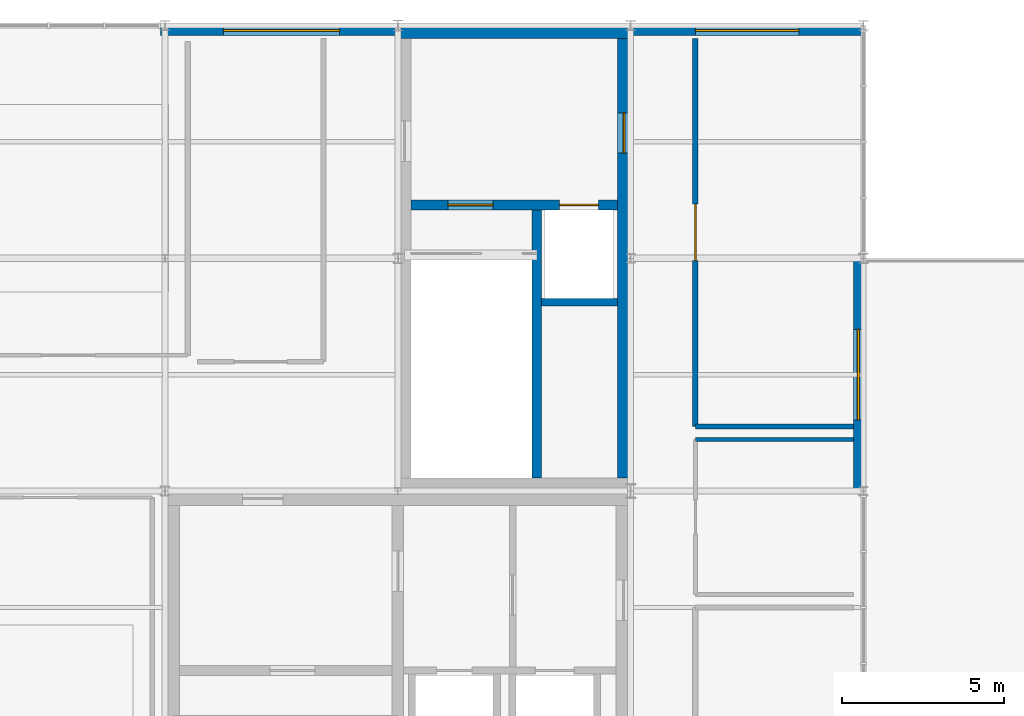
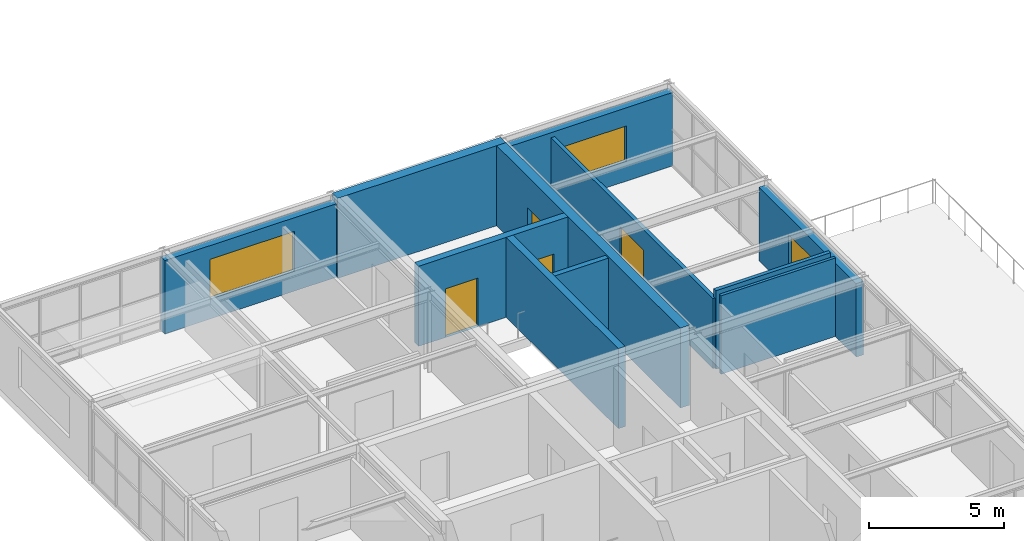
# One storey, part 9 of 12: 11 walls, 4 doors, 3 windows, 7 openings.
"""IFC4 building model written with IfcOpenShell, lengths in metres."""

import ifcopenshell
import ifcopenshell.guid

model = None  # the IFC model being written
_history = None  # IfcOwnerHistory: only IFC2X3 demands one
_inside = {}  # id of a spatial element -> (the spatial element, [elements in it])
_under = {}  # id of a project, library or spatial element -> (it, [spatial elements below it])
_declared = {}  # id of a project -> (the project, [libraries it declares])
_typed = {}  # id of a type object -> (the type object, [elements of that type])
_made_of = {}  # id of a material, layer set ... -> (it, [elements and type objects made of it])


def new_model(schema):
    """Start an empty IFC model of exactly this schema.

    Asked for "IFC4X3", IfcOpenShell would pick the latest addendum, in which some entities
    have other attributes; the version numbers below select the first issue.
    IFC2X3 requires an IfcOwnerHistory on every rooted entity: one is made here for all.
    """
    global model, _history
    if schema == "IFC4X3":
        model = ifcopenshell.file(schema_version=(4, 3, 0, 0))
    else:
        model = ifcopenshell.file(schema=schema)
    _inside.clear()
    _under.clear()
    _declared.clear()
    _typed.clear()
    _made_of.clear()
    _history = None
    if model.schema == "IFC2X3":
        org = make("IfcOrganization", Name="unknown")
        user = make(
            "IfcPersonAndOrganization",
            ThePerson=make("IfcPerson", FamilyName="unknown"),
            TheOrganization=org,
        )
        app = make(
            "IfcApplication",
            ApplicationDeveloper=org,
            Version="unknown",
            ApplicationFullName="unknown",
            ApplicationIdentifier="unknown",
        )
        _history = make(
            "IfcOwnerHistory",
            OwningUser=user,
            OwningApplication=app,
            ChangeAction="ADDED",
            CreationDate=0,
        )
    return model


def make(cls, **values):
    """One entity of the class cls with the attributes given. An attribute that is None is left unset."""
    return model.create_entity(
        cls, **{name: value for name, value in values.items() if value is not None}
    )


def rooted(cls, **values):
    """An entity with a GlobalId (a new one), such as an element, a storey or a relation."""
    return make(cls, GlobalId=ifcopenshell.guid.new(), OwnerHistory=_history, **values)


def si_unit(unit_type, name, prefix=None):
    """IfcSIUnit, for example si_unit("LENGTHUNIT", "METRE", prefix="MILLI")."""
    return make("IfcSIUnit", UnitType=unit_type, Prefix=prefix, Name=name)


def assignment(units):
    """IfcUnitAssignment: the units of a project."""
    return None if units is None else make("IfcUnitAssignment", Units=units)


def point(xyz):
    """IfcCartesianPoint."""
    return None if xyz is None else make("IfcCartesianPoint", Coordinates=xyz)


def direction(xyz):
    """IfcDirection."""
    return None if xyz is None else make("IfcDirection", DirectionRatios=xyz)


def frame(location, z_axis=None, x_axis=None):
    """IfcAxis2Placement3D, a coordinate frame: its origin and axes. An axis left out is left unset."""
    return make(
        "IfcAxis2Placement3D",
        Location=point(location),
        Axis=direction(z_axis),
        RefDirection=direction(x_axis),
    )


def frame_2d(location, x_axis=None):
    """IfcAxis2Placement2D, a coordinate frame in the plane: its origin and x axis."""
    return make(
        "IfcAxis2Placement2D", Location=point(location), RefDirection=direction(x_axis)
    )


def origin():
    """The frame at (0, 0, 0) with its axes left unset."""
    return frame((0.0, 0.0, 0.0))


def place(relative_to, where):
    """IfcLocalPlacement: puts the frame where relative to a parent placement (None: the world)."""
    return make(
        "IfcLocalPlacement", PlacementRelTo=relative_to, RelativePlacement=where
    )


def context(
    kind, dimensions, precision=None, world=None, true_north=None, identifier=None
):
    """IfcGeometricRepresentationContext, for example the 3D "Model" context."""
    return make(
        "IfcGeometricRepresentationContext",
        ContextIdentifier=identifier,
        ContextType=kind,
        CoordinateSpaceDimension=dimensions,
        Precision=precision,
        WorldCoordinateSystem=world,
        TrueNorth=true_north,
    )


def subcontext(parent, identifier, kind, view, scale=None):
    """IfcGeometricRepresentationSubContext, for example "Body" below "Model"."""
    return make(
        "IfcGeometricRepresentationSubContext",
        ContextIdentifier=identifier,
        ContextType=kind,
        ParentContext=parent,
        TargetScale=scale,
        TargetView=view,
    )


def project(units=None, contexts=None):
    """IfcProject with its units and contexts."""
    return rooted(
        "IfcProject",
        Name="project",
        RepresentationContexts=contexts,
        UnitsInContext=assignment(units),
    )


def spatial(cls, under=None, at=None, **own):
    """A site, building, storey or space (cls), placed at a placement, below another one or the project."""
    s = rooted(cls, ObjectPlacement=at, **own)
    if under is not None:
        _under.setdefault(under.id(), (under, []))[1].append(s)
    return s


def profile(cls, at=None, kind="AREA", **sizes):
    """A parametric profile (cls). Its sizes go by their IFC names, for example OverallWidth=200.0."""
    return make(cls, ProfileType=kind, Position=at, **sizes)


def rectangle(**sizes):
    """IfcRectangleProfileDef."""
    return profile("IfcRectangleProfileDef", **sizes)


def extrude(swept, where, along, depth):
    """IfcExtrudedAreaSolid: the profile swept, set in the frame where, extruded along a direction by depth."""
    return make(
        "IfcExtrudedAreaSolid",
        SweptArea=swept,
        Position=where,
        ExtrudedDirection=direction(along),
        Depth=depth,
    )


def shape(context_of_items, identifier, shape_type, items):
    """IfcShapeRepresentation: the items that make up one representation, for example the "Body"."""
    return make(
        "IfcShapeRepresentation",
        ContextOfItems=context_of_items,
        RepresentationIdentifier=identifier,
        RepresentationType=shape_type,
        Items=items,
    )


def material(Name=None, Category=None):
    """IfcMaterial."""
    return make("IfcMaterial", Name=Name, Category=Category)


def layer(
    of_material, thickness, ventilated=None, Name=None, Category=None, Priority=None
):
    """IfcMaterialLayer: one layer of a wall or slab, of a material (None: an air gap)."""
    return make(
        "IfcMaterialLayer",
        Material=of_material,
        LayerThickness=thickness,
        IsVentilated=ventilated,
        Name=Name,
        Category=Category,
        Priority=Priority,
    )


def layer_set(layers, Name=None):
    """IfcMaterialLayerSet."""
    return make("IfcMaterialLayerSet", MaterialLayers=layers, LayerSetName=Name)


def made_of(thing, what):
    """Note that an element or type object is made of a material, layer set ...; save() writes the relation."""
    if what is not None:
        _made_of.setdefault(what.id(), (what, []))[1].append(thing)
    return thing


def type_object(cls, material=None, **own):
    """A type object (cls), such as IfcWallType, which elements share."""
    return made_of(rooted(cls, **own), material)


def element(
    cls,
    number,
    at=None,
    inside=None,
    cuts=None,
    type_object=None,
    material=None,
    context=None,
    identifier="Body",
    shape_type=None,
    held_by="IfcProductDefinitionShape",
    body=None,
    shapes=None,
    **own,
):
    """One element of the class cls, such as IfcWall. Its Tag is "e" and its number.

    at: its placement. inside: the storey or other place that contains it. cuts: it is an
    opening in that element (IfcRelVoidsElement). A single representation is given by context,
    identifier, shape_type and body (its items); several are given by shapes. held_by: the class
    of the entity that holds the representations. save() writes the other relations.
    """
    e = rooted(cls, Tag="e%d" % number, ObjectPlacement=at, **own)
    if body is not None:
        shapes = [shape(context, identifier, shape_type, body)]
    if shapes is not None:
        e.Representation = make(held_by, Representations=shapes)
    if inside is not None:
        _inside.setdefault(inside.id(), (inside, []))[1].append(e)
    if cuts is not None:
        rooted(
            "IfcRelVoidsElement", RelatingBuildingElement=cuts, RelatedOpeningElement=e
        )
    if type_object is not None:
        _typed.setdefault(type_object.id(), (type_object, []))[1].append(e)
    return made_of(e, material)


def fill(opening, filler):
    """IfcRelFillsElement: the door or window that sits in an opening."""
    return rooted(
        "IfcRelFillsElement",
        RelatingOpeningElement=opening,
        RelatedBuildingElement=filler,
    )


def aggregate(whole, parts):
    """IfcRelAggregates: a whole, such as a stair, and the parts it consists of."""
    return rooted("IfcRelAggregates", RelatingObject=whole, RelatedObjects=parts)


def save(model, path):
    """Write the relations noted so far, then the file.

    IfcRelAggregates (storeys below a building ...), IfcRelContainedInSpatialStructure (elements
    in a storey), IfcRelDefinesByType, IfcRelAssociatesMaterial and IfcRelDeclares: one each for
    every whole, place, type object, material and project.
    """
    for whole, parts in _under.values():
        aggregate(whole, parts)
    for where, things in _inside.values():
        rooted(
            "IfcRelContainedInSpatialStructure",
            RelatedElements=things,
            RelatingStructure=where,
        )
    for kind, things in _typed.values():
        rooted("IfcRelDefinesByType", RelatedObjects=things, RelatingType=kind)
    for what, things in _made_of.values():
        rooted("IfcRelAssociatesMaterial", RelatedObjects=things, RelatingMaterial=what)
    for by, libraries in _declared.values():
        rooted("IfcRelDeclares", RelatingContext=by, RelatedDefinitions=libraries)
    model.write(path)


model = new_model("IFC4")

# Units and contexts
model_context = context("Model", 3, precision=1e-05, world=origin(), true_north=direction((0.0, 1.0)))
body_context = subcontext(model_context, "Body", "Model", "MODEL_VIEW")
ifc_project = project(units=[si_unit("LENGTHUNIT", "METRE"), si_unit("AREAUNIT", "SQUARE_METRE"), si_unit("VOLUMEUNIT", "CUBIC_METRE"), si_unit("PLANEANGLEUNIT", "RADIAN"), si_unit("MASSUNIT", "GRAM", prefix="KILO")], contexts=[model_context])

# Site, building, storey
site_placement = place(None, origin())
site = spatial("IfcSite", under=ifc_project, at=site_placement, CompositionType="ELEMENT")
building_placement = place(site_placement, origin())
building = spatial("IfcBuilding", under=site, at=building_placement, Name="Leyfeld Transit Interchange", CompositionType="ELEMENT")
storey_placement = place(building_placement, frame((0.0, 0.0, 21.60009765625)))
storey = spatial("IfcBuildingStorey", under=building, at=storey_placement, Name="L05", CompositionType="ELEMENT", Elevation=21.60009765625)

# Wall, opening, window
ifc_material_1 = material(Name="Austrian larch glulam GL28h", Category="wood")
ifc_layer_1 = layer(ifc_material_1, 0.31005859375, Name="Austrian larch glulam GL28h")
ifc_layer_set_1 = layer_set([ifc_layer_1], Name="Austrian larch glulam GL28h")
wall_type_1 = type_object("IfcWallType", Name="WL-EXT-LRC-310", PredefinedType="SOLIDWALL", material=ifc_layer_set_1)
wall_1_placement = place(storey_placement, frame((7.06005859375, 122.2451171875, 0.0), z_axis=(0.0, 0.0, 1.0), x_axis=(1.0, 0.0, 0.0)))
wall_1 = element("IfcWall", 1, at=wall_1_placement, inside=storey, type_object=wall_type_1, Name="External Facade Wall EW-L05-136", PredefinedType="SOLIDWALL", context=body_context, shape_type="SweptSolid", body=[
    extrude(rectangle(XDim=7.33984375, YDim=0.31005859375, at=frame_2d((3.669921875, 0.0))), origin(), (0.0, 0.0, 1.0), 3.31982421875),
])
opening_1_placement = place(wall_1_placement, frame((1.93994140625, 0.0, 0.89990234375)))
opening_1 = element("IfcOpeningElement", 2, at=opening_1_placement, cuts=wall_1, Name="Opening W-01", PredefinedType="OPENING", context=body_context, shape_type="SweptSolid", body=[
    extrude(rectangle(XDim=3.60009765625, YDim=1.800048828125, at=frame_2d((1.800048828125, 0.89990234375))), frame((0.0, 0.1650390625, 0.0), z_axis=(0.0, -1.0, 0.0), x_axis=(1.0, 0.0, 0.0)), (0.0, 0.0, 1.0), 0.330078125),
])
ifc_material_2 = material(Name="Triple low-E insulated glazing", Category="glass")
window_type_1 = type_object("IfcWindowType", Name="WIN-RIB-3600x1800", PartitioningType="SINGLE_PANEL", PredefinedType="WINDOW", material=ifc_material_2)
window_1_placement = place(opening_1_placement, origin())
window_1 = element("IfcWindow", 3, at=window_1_placement, inside=storey, type_object=window_type_1, Name="Facade Window L05 096", OverallHeight=1.800048828125, OverallWidth=3.60009765625, PartitioningType="SINGLE_PANEL", PredefinedType="WINDOW", context=body_context, shape_type="SweptSolid", body=[
    extrude(rectangle(XDim=3.60009765625, YDim=1.800048828125, at=frame_2d((1.800048828125, 0.89990234375))), frame((0.0, 0.030029296875, 0.0), z_axis=(0.0, -1.0, 0.0), x_axis=(1.0, 0.0, 0.0)), (0.0, 0.0, 1.0), 0.06005859375),
])
fill(opening_1, window_1)

wall_2_placement = place(storey_placement, frame((21.60009765625, 122.2451171875, 0.0), z_axis=(0.0, 0.0, 1.0), x_axis=(1.0, 0.0, 0.0)))
wall_2 = element("IfcWall", 4, at=wall_2_placement, inside=storey, type_object=wall_type_1, Name="External Facade Wall EW-L05-137", PredefinedType="SOLIDWALL", context=body_context, shape_type="SweptSolid", body=[
    extrude(rectangle(XDim=7.199951171875, YDim=0.31005859375, at=frame_2d((3.60009765625, 0.0))), origin(), (0.0, 0.0, 1.0), 3.31982421875),
])
opening_2_placement = place(wall_2_placement, frame((2.0, 0.0, 0.89990234375)))
opening_2 = element("IfcOpeningElement", 5, at=opening_2_placement, cuts=wall_2, Name="Opening W-02", PredefinedType="OPENING", context=body_context, shape_type="SweptSolid", body=[
    extrude(rectangle(XDim=3.199951171875, YDim=1.60009765625, at=frame_2d((1.60009765625, 0.800048828125))), frame((0.0, 0.1650390625, 0.0), z_axis=(0.0, -1.0, 0.0), x_axis=(1.0, 0.0, 0.0)), (0.0, 0.0, 1.0), 0.330078125),
])
window_type_2 = type_object("IfcWindowType", Name="WIN-RIB-3200x1600", PartitioningType="SINGLE_PANEL", PredefinedType="WINDOW", material=ifc_material_2)
window_2_placement = place(opening_2_placement, origin())
window_2 = element("IfcWindow", 6, at=window_2_placement, inside=storey, type_object=window_type_2, Name="Facade Window L05 097", OverallHeight=1.60009765625, OverallWidth=3.199951171875, PartitioningType="SINGLE_PANEL", PredefinedType="WINDOW", context=body_context, shape_type="SweptSolid", body=[
    extrude(rectangle(XDim=3.199951171875, YDim=1.60009765625, at=frame_2d((1.60009765625, 0.800048828125))), frame((0.0, 0.030029296875, 0.0), z_axis=(0.0, -1.0, 0.0), x_axis=(1.0, 0.0, 0.0)), (0.0, 0.0, 1.0), 0.06005859375),
])
fill(opening_2, window_2)

wall_3_placement = place(storey_placement, frame((28.64501953125, 115.199951171875, 0.0), z_axis=(0.0, 0.0, 1.0), x_axis=(0.0, -1.0, 0.0)))
wall_3 = element("IfcWall", 7, at=wall_3_placement, inside=storey, type_object=wall_type_1, Name="External Facade Wall EW-L05-138", PredefinedType="SOLIDWALL", context=body_context, shape_type="SweptSolid", body=[
    extrude(rectangle(XDim=7.199951171875, YDim=0.31005859375, at=frame_2d((3.60009765625, 0.0))), origin(), (0.0, 0.0, 1.0), 3.31982421875),
])
opening_3_placement = place(wall_3_placement, frame((2.199951171875, 0.0, 0.89990234375)))
opening_3 = element("IfcOpeningElement", 8, at=opening_3_placement, cuts=wall_3, Name="Opening W-03", PredefinedType="OPENING", context=body_context, shape_type="SweptSolid", body=[
    extrude(rectangle(XDim=2.800048828125, YDim=1.60009765625, at=frame_2d((1.39990234375, 0.800048828125))), frame((0.0, 0.1650390625, 0.0), z_axis=(0.0, -1.0, 0.0), x_axis=(1.0, 0.0, 0.0)), (0.0, 0.0, 1.0), 0.330078125),
])
window_type_3 = type_object("IfcWindowType", Name="WIN-RIB-2800x1600", PartitioningType="SINGLE_PANEL", PredefinedType="WINDOW", material=ifc_material_2)
window_3_placement = place(opening_3_placement, origin())
window_3 = element("IfcWindow", 9, at=window_3_placement, inside=storey, type_object=window_type_3, Name="Facade Window L05 098", OverallHeight=1.60009765625, OverallWidth=2.800048828125, PartitioningType="SINGLE_PANEL", PredefinedType="WINDOW", context=body_context, shape_type="SweptSolid", body=[
    extrude(rectangle(XDim=2.800048828125, YDim=1.60009765625, at=frame_2d((1.39990234375, 0.800048828125))), frame((0.0, 0.030029296875, 0.0), z_axis=(0.0, -1.0, 0.0), x_axis=(1.0, 0.0, 0.0)), (0.0, 0.0, 1.0), 0.06005859375),
])
fill(opening_3, window_3)

# Wall
ifc_material_3 = material(Name="Gypsum plasterboard acoustic stud", Category="gypsum")
ifc_layer_2 = layer(ifc_material_3, 0.159912109375, Name="Gypsum plasterboard acoustic stud")
ifc_layer_set_2 = layer_set([ifc_layer_2], Name="Gypsum plasterboard acoustic stud")
wall_type_2 = type_object("IfcWallType", Name="WL-INT-ACU-160", PredefinedType="PARTITIONING", material=ifc_layer_set_2)
wall_4_placement = place(storey_placement, frame((28.5, 110.0, 0.0), z_axis=(0.0, 0.0, 1.0), x_axis=(-1.0, 0.0, 0.0)))
element("IfcWall", 10, at=wall_4_placement, inside=storey, type_object=wall_type_2, Name="Interior Partition L05-MTG-02 S", PredefinedType="PARTITIONING", context=body_context, shape_type="SweptSolid", body=[
    extrude(rectangle(XDim=4.89990234375, YDim=0.159912109375, at=frame_2d((2.449951171875, 0.0))), origin(), (0.0, 0.0, 1.0), 3.5498046875),
])

# Wall, opening, door
wall_5_placement = place(storey_placement, frame((23.60009765625, 110.0, 0.0), z_axis=(0.0, 0.0, 1.0), x_axis=(0.0, 1.0, 0.0)))
wall_5 = element("IfcWall", 11, at=wall_5_placement, inside=storey, type_object=wall_type_2, Name="Interior Partition L05-MTG-02 W", PredefinedType="PARTITIONING", context=body_context, shape_type="SweptSolid", body=[
    extrude(rectangle(XDim=12.0, YDim=0.159912109375, at=frame_2d((6.0, 0.0))), origin(), (0.0, 0.0, 1.0), 3.169921875),
])
opening_4_placement = place(wall_5_placement, frame((5.125, 0.0, 0.0)))
opening_4 = element("IfcOpeningElement", 12, at=opening_4_placement, cuts=wall_5, Name="Opening DV-08", PredefinedType="OPENING", context=body_context, shape_type="SweptSolid", body=[
    extrude(rectangle(XDim=1.75, YDim=2.25, at=frame_2d((0.875, 1.125))), frame((0.0, 0.08984375, 0.0), z_axis=(0.0, -1.0, 0.0), x_axis=(1.0, 0.0, 0.0)), (0.0, 0.0, 1.0), 0.179931640625),
])
door_type_1 = type_object("IfcDoorType", Name="DR-VAR-08", OperationType="NOTDEFINED", PredefinedType="DOOR", material=ifc_material_1)
door_1_placement = place(opening_4_placement, origin())
door_1 = element("IfcDoor", 13, at=door_1_placement, inside=storey, type_object=door_type_1, Name="DR-L05-MTG-02", OperationType="DOUBLE_DOOR_SINGLE_SWING", OverallHeight=2.25, OverallWidth=1.75, PredefinedType="DOOR", context=body_context, shape_type="SweptSolid", body=[
    extrude(rectangle(XDim=1.75, YDim=2.25, at=frame_2d((0.875, 1.125))), frame((0.0, 0.02490234375, 0.0), z_axis=(0.0, -1.0, 0.0), x_axis=(1.0, 0.0, 0.0)), (0.0, 0.0, 1.0), 0.050048828125),
])
fill(opening_4, door_1)

# Walls
ifc_material_4 = material(Name="Concrete C35/45", Category="concrete")
ifc_layer_3 = layer(ifc_material_4, 0.219970703125, Name="Concrete C35/45")
ifc_layer_set_3 = layer_set([ifc_layer_3], Name="Concrete C35/45")
wall_type_3 = type_object("IfcWallType", Name="WL-INT-SHF-220", PredefinedType="PARTITIONING", material=ifc_layer_set_3)
wall_6_placement = place(storey_placement, frame((18.840087890625, 113.840087890625, 0.0), z_axis=(0.0, 0.0, 1.0), x_axis=(1.0, 0.0, 0.0)))
element("IfcWall", 14, at=wall_6_placement, inside=storey, type_object=wall_type_3, Name="Core K2 Lift PL-2 Shaft Back Wall L05", PredefinedType="PARTITIONING", context=body_context, shape_type="SweptSolid", body=[
    extrude(rectangle(XDim=2.35986328125, YDim=0.219970703125, at=frame_2d((1.179931640625, 0.0))), origin(), (0.0, 0.0, 1.0), 3.5498046875),
])
ifc_material_5 = material(Name="Autoclaved aerated blockwork G4", Category="masonry")
ifc_layer_4 = layer(ifc_material_5, 0.125, Name="Autoclaved aerated blockwork G4")
ifc_layer_set_4 = layer_set([ifc_layer_4], Name="Autoclaved aerated blockwork G4")
wall_type_4 = type_object("IfcWallType", Name="WL-INT-WC-125", PredefinedType="PARTITIONING", material=ifc_layer_set_4)
wall_7_placement = place(storey_placement, frame((23.60009765625, 109.60009765625, 0.0), z_axis=(0.0, 0.0, 1.0), x_axis=(1.0, 0.0, 0.0)))
element("IfcWall", 15, at=wall_7_placement, inside=storey, type_object=wall_type_4, Name="Interior Partition L05-WCA-01 N", PredefinedType="PARTITIONING", context=body_context, shape_type="SweptSolid", body=[
    extrude(rectangle(XDim=4.89990234375, YDim=0.125, at=frame_2d((2.449951171875, 0.0))), origin(), (0.0, 0.0, 1.0), 3.5498046875),
])
ifc_layer_5 = layer(ifc_material_4, 0.300048828125, Name="Concrete C35/45")
ifc_layer_set_5 = layer_set([ifc_layer_5], Name="Concrete C35/45")
wall_type_5 = type_object("IfcWallType", Name="WL-SH-300", PredefinedType="SHEAR", material=ifc_layer_set_5)
wall_8_placement = place(storey_placement, frame((18.699951171875, 116.699951171875, 0.0), z_axis=(0.0, 0.0, 1.0), x_axis=(0.0, -1.0, 0.0)))
element("IfcWall", 16, at=wall_8_placement, inside=storey, type_object=wall_type_5, Name="Core K2 Shear Wall SMID L05", PredefinedType="SHEAR", context=body_context, shape_type="SweptSolid", body=[
    extrude(rectangle(XDim=8.300048828125, YDim=0.300048828125, at=frame_2d((4.14990234375, 0.0))), origin(), (0.0, 0.0, 1.0), 3.619873046875),
])

# Wall, openings, doors
wall_9_placement = place(storey_placement, frame((14.800048828125, 116.85009765625, 0.0), z_axis=(0.0, 0.0, 1.0), x_axis=(1.0, 0.0, 0.0)))
wall_9 = element("IfcWall", 17, at=wall_9_placement, inside=storey, type_object=wall_type_5, Name="Core K2 Shear Wall STRN L05", PredefinedType="SHEAR", context=body_context, shape_type="SweptSolid", body=[
    extrude(rectangle(XDim=6.39990234375, YDim=0.300048828125, at=frame_2d((3.199951171875, 0.0))), origin(), (0.0, 0.0, 1.0), 3.619873046875),
])
opening_5_placement = place(wall_9_placement, frame((1.14990234375, 0.0, 0.0)))
opening_5 = element("IfcOpeningElement", 18, at=opening_5_placement, cuts=wall_9, Name="Opening DI-01", PredefinedType="OPENING", context=body_context, shape_type="SweptSolid", body=[
    extrude(rectangle(XDim=1.39990234375, YDim=2.199951171875, at=frame_2d((0.699951171875, 1.10009765625))), frame((0.0, 0.159912109375, 0.0), z_axis=(0.0, -1.0, 0.0), x_axis=(1.0, 0.0, 0.0)), (0.0, 0.0, 1.0), 0.320068359375),
])
opening_6_placement = place(wall_9_placement, frame((4.60009765625, 0.0, 0.0)))
opening_6 = element("IfcOpeningElement", 19, at=opening_6_placement, cuts=wall_9, Name="Opening LD-02", PredefinedType="OPENING", context=body_context, shape_type="SweptSolid", body=[
    extrude(rectangle(XDim=1.199951171875, YDim=2.14990234375, at=frame_2d((0.60009765625, 1.074951171875))), frame((0.0, 0.159912109375, 0.0), z_axis=(0.0, -1.0, 0.0), x_axis=(1.0, 0.0, 0.0)), (0.0, 0.0, 1.0), 0.320068359375),
])
ifc_material_6 = material(Name="Stainless steel EN 1.4404", Category="steel")
door_type_2 = type_object("IfcDoorType", Name="DR-LD-PAS-1200x2150", OperationType="NOTDEFINED", PredefinedType="DOOR", material=ifc_material_6)
door_2_placement = place(opening_6_placement, origin())
door_2 = element("IfcDoor", 20, at=door_2_placement, inside=storey, type_object=door_type_2, Name="LD-PL-2-L05", OperationType="DOUBLE_DOOR_SLIDING", OverallHeight=2.14990234375, OverallWidth=1.199951171875, PredefinedType="DOOR", context=body_context, shape_type="SweptSolid", body=[
    extrude(rectangle(XDim=1.199951171875, YDim=2.14990234375, at=frame_2d((0.60009765625, 1.074951171875))), frame((0.0, 0.02490234375, 0.0), z_axis=(0.0, -1.0, 0.0), x_axis=(1.0, 0.0, 0.0)), (0.0, 0.0, 1.0), 0.050048828125),
])
fill(opening_6, door_2)
ifc_material_7 = material(Name="Galvanised steel S275JR", Category="steel")
door_type_3 = type_object("IfcDoorType", Name="DR-STR-1400x2200", OperationType="NOTDEFINED", PredefinedType="DOOR", material=ifc_material_7)
door_3_placement = place(opening_5_placement, origin())
door_3 = element("IfcDoor", 21, at=door_3_placement, inside=storey, type_object=door_type_3, Name="DR-STR-INT-K2-L05", OperationType="SINGLE_SWING_RIGHT", OverallHeight=2.199951171875, OverallWidth=1.39990234375, PredefinedType="DOOR", context=body_context, shape_type="SweptSolid", body=[
    extrude(rectangle(XDim=1.39990234375, YDim=2.199951171875, at=frame_2d((0.699951171875, 1.10009765625))), frame((0.0, 0.02490234375, 0.0), z_axis=(0.0, -1.0, 0.0), x_axis=(1.0, 0.0, 0.0)), (0.0, 0.0, 1.0), 0.050048828125),
])
fill(opening_5, door_3)

# Wall
ifc_layer_6 = layer(ifc_material_4, 0.39990234375, Name="Concrete C35/45")
ifc_layer_set_6 = layer_set([ifc_layer_6], Name="Concrete C35/45")
wall_type_6 = type_object("IfcWallType", Name="WL-SH-400", PredefinedType="SHEAR", material=ifc_layer_set_6)
wall_10_placement = place(storey_placement, frame((14.39990234375, 122.199951171875, 0.0), z_axis=(0.0, 0.0, 1.0), x_axis=(1.0, 0.0, 0.0)))
element("IfcWall", 22, at=wall_10_placement, inside=storey, type_object=wall_type_6, Name="Core K2 Shear Wall N L05", PredefinedType="SHEAR", context=body_context, shape_type="SweptSolid", body=[
    extrude(rectangle(XDim=7.2001953125, YDim=0.39990234375, at=frame_2d((3.60009765625, 0.0))), origin(), (0.0, 0.0, 1.0), 3.619873046875),
])

# Wall, opening, door
wall_11_placement = place(storey_placement, frame((21.39990234375, 122.0, 0.0), z_axis=(0.0, 0.0, 1.0), x_axis=(0.0, -1.0, 0.0)))
wall_11 = element("IfcWall", 23, at=wall_11_placement, inside=storey, type_object=wall_type_6, Name="Core K2 Shear Wall E L05", PredefinedType="SHEAR", context=body_context, shape_type="SweptSolid", body=[
    extrude(rectangle(XDim=13.60009765625, YDim=0.39990234375, at=frame_2d((6.800048828125, 0.0))), origin(), (0.0, 0.0, 1.0), 3.619873046875),
])
opening_7_placement = place(wall_11_placement, frame((2.300048828125, 0.0, 0.0)))
opening_7 = element("IfcOpeningElement", 24, at=opening_7_placement, cuts=wall_11, Name="Opening DI-02", PredefinedType="OPENING", context=body_context, shape_type="SweptSolid", body=[
    extrude(rectangle(XDim=1.25, YDim=2.199951171875, at=frame_2d((0.625, 1.10009765625))), frame((0.0, 0.2099609375, 0.0), z_axis=(0.0, -1.0, 0.0), x_axis=(1.0, 0.0, 0.0)), (0.0, 0.0, 1.0), 0.419921875),
])
door_type_4 = type_object("IfcDoorType", Name="DR-FFL-1250x2200", OperationType="NOTDEFINED", PredefinedType="DOOR", material=ifc_material_7)
door_4_placement = place(opening_7_placement, origin())
door_4 = element("IfcDoor", 25, at=door_4_placement, inside=storey, type_object=door_type_4, Name="DR-CORE-OUT-K2-L05-E", OperationType="SINGLE_SWING_RIGHT", OverallHeight=2.199951171875, OverallWidth=1.25, PredefinedType="DOOR", context=body_context, shape_type="SweptSolid", body=[
    extrude(rectangle(XDim=1.25, YDim=2.199951171875, at=frame_2d((0.625, 1.10009765625))), frame((0.0, 0.02490234375, 0.0), z_axis=(0.0, -1.0, 0.0), x_axis=(1.0, 0.0, 0.0)), (0.0, 0.0, 1.0), 0.050048828125),
])
fill(opening_7, door_4)

save(model, "model.ifc")
